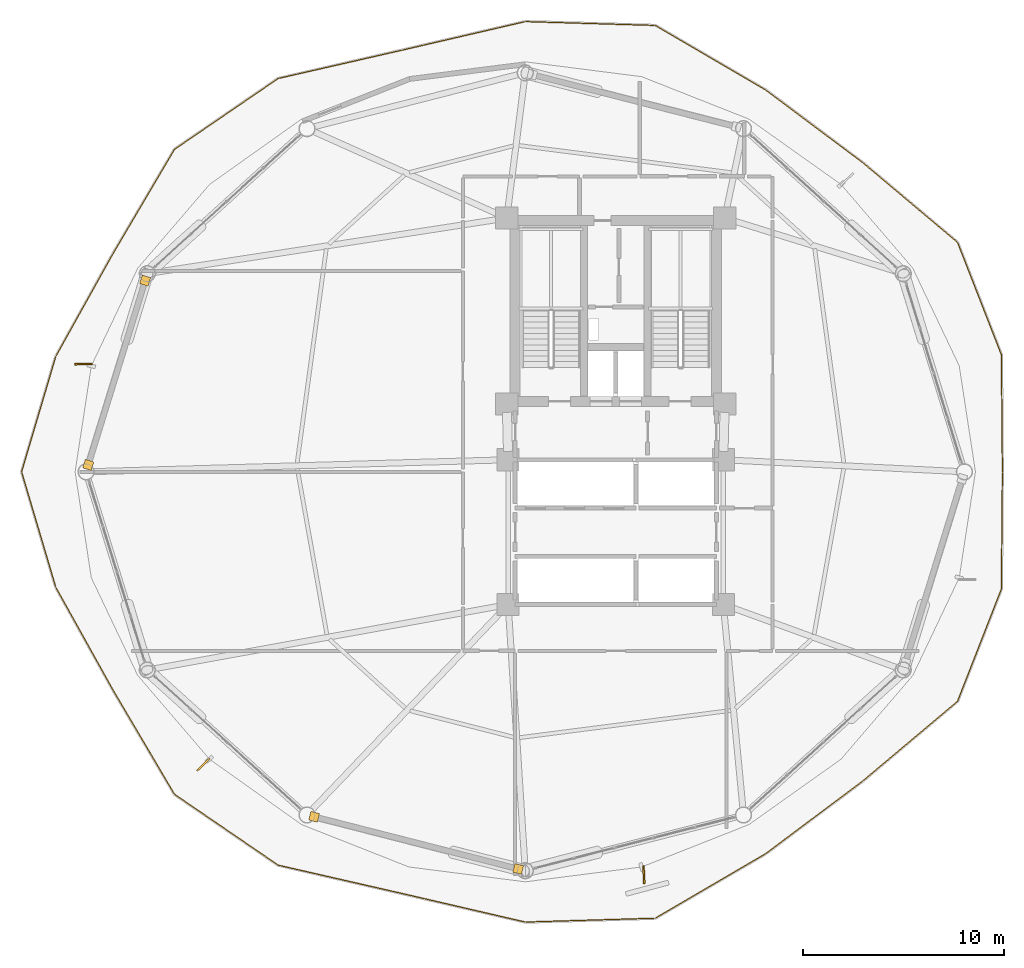
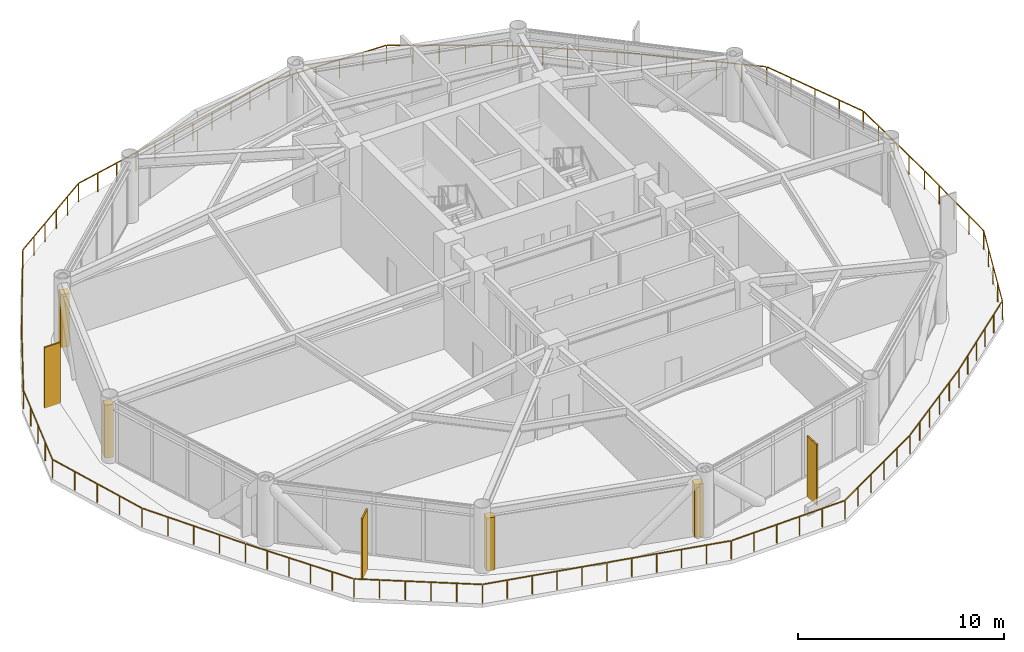
# One storey, part 22 of 23: 4 coverings, 3 shading devices, 1 railing.
"""IFC4 building model written with IfcOpenShell, lengths in metres."""

from ifc_helpers import new_model, si_unit, direction, frame, origin, origin_2d, place, context, subcontext, project, spatial, rectangle, extrude, source, transform, mapped, material, layer, layer_set, type_object, type_shapes, element, save


model = new_model("IFC4")

# Units and contexts
model_context = context("Model", 3, precision=1e-05, world=origin(), true_north=direction((0.0, 1.0)))
body_context = subcontext(model_context, "Body", "Model", "MODEL_VIEW")
ifc_project = project(units=[si_unit("LENGTHUNIT", "METRE"), si_unit("AREAUNIT", "SQUARE_METRE"), si_unit("VOLUMEUNIT", "CUBIC_METRE"), si_unit("PLANEANGLEUNIT", "RADIAN"), si_unit("MASSUNIT", "GRAM", prefix="KILO")], contexts=[model_context])

# Site, building, storey
site_placement = place(None, origin())
site = spatial("IfcSite", under=ifc_project, at=site_placement, CompositionType="ELEMENT")
building_placement = place(site_placement, origin())
building = spatial("IfcBuilding", under=site, at=building_placement, Name="Varnakorn Sky Granary", CompositionType="ELEMENT")
storey_placement = place(building_placement, frame((0.0, 0.0, 83.699951171875)))
storey = spatial("IfcBuildingStorey", under=building, at=storey_placement, Name="L20", CompositionType="ELEMENT", Elevation=83.699951171875)

# Railing
ifc_material = material(Name="Anodised Bronze Aluminium Alloy 6063-T6", Category="aluminium")
railing_type = type_object("IfcRailingType", Name="RL-BAL-1120", PredefinedType="BALUSTRADE", material=ifc_material)
railing_placement = place(storey_placement, frame((22.22998046875, 0.0, 0.0)))
element("IfcRailing", 1, at=railing_placement, inside=storey, type_object=railing_type, Name="Wavy Growing Deck Guard Balustrade L20", PredefinedType="BALUSTRADE", context=body_context, shape_type="SweptSolid", body=[
    extrude(rectangle(XDim=0.048095703125, YDim=0.048095703125, at=origin_2d()), frame((-0.000244140625, 0.028076171875, 1.09619140625), z_axis=(-0.008584992269, 0.999963148275, 0.0), x_axis=(-0.999963148275, -0.008584992269, 0.0)), (0.0, 0.0, 1.0), 5.77392578125),
    extrude(rectangle(XDim=0.048095703125, YDim=0.048095703125, at=origin_2d()), frame((-0.060302734375, 5.855712890625, 1.09619140625), z_axis=(-0.363622613495, 0.931546346112, 0.0), x_axis=(-0.931546346112, -0.363622613495, 0.0)), (0.0, 0.0, 1.0), 5.941650390625),
    extrude(rectangle(XDim=0.048095703125, YDim=0.048095703125, at=origin_2d()), frame((-2.25244140625, 11.434814453125, 1.09619140625), z_axis=(-0.765405589806, 0.643548197957, 0.0), x_axis=(-0.643548197957, -0.765405589806, 0.0)), (0.0, 0.0, 1.0), 6.100830078125),
    extrude(rectangle(XDim=0.048095703125, YDim=0.048095703125, at=origin_2d()), frame((-6.9658203125, 15.395751953125, 1.09619140625), z_axis=(-0.800631314174, 0.599157323885, 0.0), x_axis=(-0.599157323885, -0.800631314174, 0.0)), (0.0, 0.0, 1.0), 5.97265625),
    extrude(rectangle(XDim=0.048095703125, YDim=0.048095703125, at=origin_2d()), frame((-11.794189453125, 19.005126953125, 1.09619140625), z_axis=(-0.86342532332, 0.504476670471, 0.0), x_axis=(-0.504476670471, -0.86342532332, 0.0)), (0.0, 0.0, 1.0), 6.308837890625),
    extrude(rectangle(XDim=0.048095703125, YDim=0.048095703125, at=origin_2d()), frame((-17.293701171875, 22.20263671875, 1.09619140625), z_axis=(-0.999567493399, 0.029407926481, 0.0), x_axis=(-0.029407926481, -0.999567493399, 0.0)), (0.0, 0.0, 1.0), 6.4111328125),
    extrude(rectangle(XDim=0.048095703125, YDim=0.048095703125, at=origin_2d()), frame((-23.75732421875, 22.3857421875, 1.09619140625), z_axis=(-0.974172483706, -0.225805163779, 0.0), x_axis=(0.225805163779, -0.974172483706, 0.0)), (0.0, 0.0, 1.0), 6.240966796875),
    extrude(rectangle(XDim=0.048095703125, YDim=0.048095703125, at=origin_2d()), frame((-29.8916015625, 20.9638671875, 1.09619140625), z_axis=(-0.974833064229, -0.222936082511, 0.0), x_axis=(0.222936082511, -0.974833064229, 0.0)), (0.0, 0.0, 1.0), 6.258544921875),
    extrude(rectangle(XDim=0.048095703125, YDim=0.048095703125, at=origin_2d()), frame((-36.04296875, 19.546630859375, 1.09619140625), z_axis=(-0.825663759617, -0.564162526277, 0.0), x_axis=(0.564162526277, -0.825663759617, 0.0)), (0.0, 0.0, 1.0), 6.18994140625),
    extrude(rectangle(XDim=0.048095703125, YDim=0.048095703125, at=origin_2d()), frame((-41.19091796875, 16.0146484375, 1.09619140625), z_axis=(-0.507906441234, -0.861412239844, 0.0), x_axis=(0.861412239844, -0.507906441234, 0.0)), (0.0, 0.0, 1.0), 5.97314453125),
    extrude(rectangle(XDim=0.048095703125, YDim=0.048095703125, at=origin_2d()), frame((-44.252685546875, 10.82080078125, 1.09619140625), z_axis=(-0.486363130766, -0.873756776816, 0.0), x_axis=(0.873756776816, -0.486363130766, 0.0)), (0.0, 0.0, 1.0), 5.785400390625),
    extrude(rectangle(XDim=0.048095703125, YDim=0.048095703125, at=origin_2d()), frame((-47.088134765625, 5.71435546875, 1.09619140625), z_axis=(-0.283912012969, -0.958850337066, 0.0), x_axis=(0.958850337066, -0.283912012969, 0.0)), (0.0, 0.0, 1.0), 5.931640625),
    extrude(rectangle(XDim=0.048095703125, YDim=0.048095703125, at=origin_2d()), frame((-48.77197265625, -0.02685546875, 1.09619140625), z_axis=(0.283912012969, -0.958850337066, 0.0), x_axis=(0.958850337066, 0.283912012969, 0.0)), (0.0, 0.0, 1.0), 5.931640625),
    extrude(rectangle(XDim=0.048095703125, YDim=0.048095703125, at=origin_2d()), frame((-47.06640625, -5.765625, 1.09619140625), z_axis=(0.486363130766, -0.873756776816, 0.0), x_axis=(0.873756776816, 0.486363130766, 0.0)), (0.0, 0.0, 1.0), 5.785400390625),
    extrude(rectangle(XDim=0.048095703125, YDim=0.048095703125, at=origin_2d()), frame((-44.224853515625, -10.869384765625, 1.09619140625), z_axis=(0.507906441234, -0.861412239844, 0.0), x_axis=(0.861412239844, 0.507906441234, 0.0)), (0.0, 0.0, 1.0), 5.97314453125),
    extrude(rectangle(XDim=0.048095703125, YDim=0.048095703125, at=origin_2d()), frame((-41.153564453125, -16.0546875, 1.09619140625), z_axis=(0.825663759617, -0.564162526277, 0.0), x_axis=(0.564162526277, 0.825663759617, 0.0)), (0.0, 0.0, 1.0), 6.18994140625),
    extrude(rectangle(XDim=0.048095703125, YDim=0.048095703125, at=origin_2d()), frame((-35.992431640625, -19.56884765625, 1.09619140625), z_axis=(0.974833064229, -0.222936082511, 0.0), x_axis=(0.222936082511, 0.974833064229, 0.0)), (0.0, 0.0, 1.0), 6.258544921875),
    extrude(rectangle(XDim=0.048095703125, YDim=0.048095703125, at=origin_2d()), frame((-29.8369140625, -20.9765625, 1.09619140625), z_axis=(0.974172483706, -0.225805163779, 0.0), x_axis=(0.225805163779, 0.974172483706, 0.0)), (0.0, 0.0, 1.0), 6.240966796875),
    extrude(rectangle(XDim=0.048095703125, YDim=0.048095703125, at=origin_2d()), frame((-23.701904296875, -22.391357421875, 1.09619140625), z_axis=(0.999567493399, 0.029407926481, 0.0), x_axis=(-0.029407926481, 0.999567493399, 0.0)), (0.0, 0.0, 1.0), 6.4111328125),
    extrude(rectangle(XDim=0.048095703125, YDim=0.048095703125, at=origin_2d()), frame((-17.241455078125, -22.187744140625, 1.09619140625), z_axis=(0.86342532332, 0.504476670471, 0.0), x_axis=(-0.504476670471, 0.86342532332, 0.0)), (0.0, 0.0, 1.0), 6.308837890625),
    extrude(rectangle(XDim=0.048095703125, YDim=0.048095703125, at=origin_2d()), frame((-11.74755859375, -18.97412109375, 1.09619140625), z_axis=(0.800631314174, 0.599157323885, 0.0), x_axis=(-0.599157323885, 0.800631314174, 0.0)), (0.0, 0.0, 1.0), 5.97265625),
    extrude(rectangle(XDim=0.048095703125, YDim=0.048095703125, at=origin_2d()), frame((-6.921875, -15.36083984375, 1.09619140625), z_axis=(0.765405589806, 0.643548197957, 0.0), x_axis=(-0.643548197957, 0.765405589806, 0.0)), (0.0, 0.0, 1.0), 6.100830078125),
    extrude(rectangle(XDim=0.048095703125, YDim=0.048095703125, at=origin_2d()), frame((-2.220703125, -11.390625, 1.09619140625), z_axis=(0.363622613495, 0.931546346112, 0.0), x_axis=(-0.931546346112, 0.363622613495, 0.0)), (0.0, 0.0, 1.0), 5.941650390625),
    extrude(rectangle(XDim=0.048095703125, YDim=0.048095703125, at=origin_2d()), frame((-0.0498046875, -5.801513671875, 1.09619140625), z_axis=(0.008584992269, 0.999963148275, 0.0), x_axis=(-0.999963148275, 0.008584992269, 0.0)), (0.0, 0.0, 1.0), 5.77392578125),
    extrude(rectangle(XDim=0.0419921875, YDim=0.0419921875, at=origin_2d()), origin(), (0.0, 0.0, 1.0), 1.068115234375),
    extrude(rectangle(XDim=0.0419921875, YDim=0.0419921875, at=origin_2d()), frame((-0.012451171875, 1.45751953125, 0.0)), (0.0, 0.0, 1.0), 1.068115234375),
    extrude(rectangle(XDim=0.0419921875, YDim=0.0419921875, at=origin_2d()), frame((-0.02490234375, 2.914794921875, 0.0)), (0.0, 0.0, 1.0), 1.068115234375),
    extrude(rectangle(XDim=0.0419921875, YDim=0.0419921875, at=origin_2d()), frame((-0.03759765625, 4.3720703125, 0.0)), (0.0, 0.0, 1.0), 1.068115234375),
    extrude(rectangle(XDim=0.0419921875, YDim=0.0419921875, at=origin_2d()), frame((-0.050048828125, 5.82958984375, 0.0)), (0.0, 0.0, 1.0), 1.068115234375),
    extrude(rectangle(XDim=0.0419921875, YDim=0.0419921875, at=origin_2d()), frame((-0.59521484375, 7.226318359375, 0.0)), (0.0, 0.0, 1.0), 1.068115234375),
    extrude(rectangle(XDim=0.0419921875, YDim=0.0419921875, at=origin_2d()), frame((-1.140625, 8.623046875, 0.0)), (0.0, 0.0, 1.0), 1.068115234375),
    extrude(rectangle(XDim=0.0419921875, YDim=0.0419921875, at=origin_2d()), frame((-1.685791015625, 10.02001953125, 0.0)), (0.0, 0.0, 1.0), 1.068115234375),
    extrude(rectangle(XDim=0.0419921875, YDim=0.0419921875, at=origin_2d()), frame((-2.23095703125, 11.416748046875, 0.0)), (0.0, 0.0, 1.0), 1.068115234375),
    extrude(rectangle(XDim=0.0419921875, YDim=0.0419921875, at=origin_2d()), frame((-3.17333984375, 12.209228515625, 0.0)), (0.0, 0.0, 1.0), 1.068115234375),
    extrude(rectangle(XDim=0.0419921875, YDim=0.0419921875, at=origin_2d()), frame((-4.115966796875, 13.001708984375, 0.0)), (0.0, 0.0, 1.0), 1.068115234375),
    extrude(rectangle(XDim=0.0419921875, YDim=0.0419921875, at=origin_2d()), frame((-5.058349609375, 13.7939453125, 0.0)), (0.0, 0.0, 1.0), 1.068115234375),
    extrude(rectangle(XDim=0.0419921875, YDim=0.0419921875, at=origin_2d()), frame((-6.0009765625, 14.58642578125, 0.0)), (0.0, 0.0, 1.0), 1.068115234375),
    extrude(rectangle(XDim=0.0419921875, YDim=0.0419921875, at=origin_2d()), frame((-6.943359375, 15.37890625, 0.0)), (0.0, 0.0, 1.0), 1.068115234375),
    extrude(rectangle(XDim=0.0419921875, YDim=0.0419921875, at=origin_2d()), frame((-7.90869140625, 16.101318359375, 0.0)), (0.0, 0.0, 1.0), 1.068115234375),
    extrude(rectangle(XDim=0.0419921875, YDim=0.0419921875, at=origin_2d()), frame((-8.8740234375, 16.82373046875, 0.0)), (0.0, 0.0, 1.0), 1.068115234375),
    extrude(rectangle(XDim=0.0419921875, YDim=0.0419921875, at=origin_2d()), frame((-9.83935546875, 17.546142578125, 0.0)), (0.0, 0.0, 1.0), 1.068115234375),
    extrude(rectangle(XDim=0.0419921875, YDim=0.0419921875, at=origin_2d()), frame((-10.8046875, 18.2685546875, 0.0)), (0.0, 0.0, 1.0), 1.068115234375),
    extrude(rectangle(XDim=0.0419921875, YDim=0.0419921875, at=origin_2d()), frame((-11.77001953125, 18.990966796875, 0.0)), (0.0, 0.0, 1.0), 1.068115234375),
    extrude(rectangle(XDim=0.0419921875, YDim=0.0419921875, at=origin_2d()), frame((-12.869140625, 19.633056640625, 0.0)), (0.0, 0.0, 1.0), 1.068115234375),
    extrude(rectangle(XDim=0.0419921875, YDim=0.0419921875, at=origin_2d()), frame((-13.96826171875, 20.275390625, 0.0)), (0.0, 0.0, 1.0), 1.068115234375),
    extrude(rectangle(XDim=0.0419921875, YDim=0.0419921875, at=origin_2d()), frame((-15.0673828125, 20.91748046875, 0.0)), (0.0, 0.0, 1.0), 1.068115234375),
    extrude(rectangle(XDim=0.0419921875, YDim=0.0419921875, at=origin_2d()), frame((-16.16650390625, 21.559814453125, 0.0)), (0.0, 0.0, 1.0), 1.068115234375),
    extrude(rectangle(XDim=0.0419921875, YDim=0.0419921875, at=origin_2d()), frame((-17.265625, 22.201904296875, 0.0)), (0.0, 0.0, 1.0), 1.068115234375),
    extrude(rectangle(XDim=0.0419921875, YDim=0.0419921875, at=origin_2d()), frame((-18.55859375, 22.239990234375, 0.0)), (0.0, 0.0, 1.0), 1.068115234375),
    extrude(rectangle(XDim=0.0419921875, YDim=0.0419921875, at=origin_2d()), frame((-19.851318359375, 22.278076171875, 0.0)), (0.0, 0.0, 1.0), 1.068115234375),
    extrude(rectangle(XDim=0.0419921875, YDim=0.0419921875, at=origin_2d()), frame((-21.144287109375, 22.31591796875, 0.0)), (0.0, 0.0, 1.0), 1.068115234375),
    extrude(rectangle(XDim=0.0419921875, YDim=0.0419921875, at=origin_2d()), frame((-22.43701171875, 22.35400390625, 0.0)), (0.0, 0.0, 1.0), 1.068115234375),
    extrude(rectangle(XDim=0.0419921875, YDim=0.0419921875, at=origin_2d()), frame((-23.72998046875, 22.39208984375, 0.0)), (0.0, 0.0, 1.0), 1.068115234375),
    extrude(rectangle(XDim=0.0419921875, YDim=0.0419921875, at=origin_2d()), frame((-24.956787109375, 22.107666015625, 0.0)), (0.0, 0.0, 1.0), 1.068115234375),
    extrude(rectangle(XDim=0.0419921875, YDim=0.0419921875, at=origin_2d()), frame((-26.18359375, 21.8232421875, 0.0)), (0.0, 0.0, 1.0), 1.068115234375),
    extrude(rectangle(XDim=0.0419921875, YDim=0.0419921875, at=origin_2d()), frame((-27.41064453125, 21.5390625, 0.0)), (0.0, 0.0, 1.0), 1.068115234375),
    extrude(rectangle(XDim=0.0419921875, YDim=0.0419921875, at=origin_2d()), frame((-28.637451171875, 21.254638671875, 0.0)), (0.0, 0.0, 1.0), 1.068115234375),
    extrude(rectangle(XDim=0.0419921875, YDim=0.0419921875, at=origin_2d()), frame((-29.8642578125, 20.97021484375, 0.0)), (0.0, 0.0, 1.0), 1.068115234375),
    extrude(rectangle(XDim=0.0419921875, YDim=0.0419921875, at=origin_2d()), frame((-31.095458984375, 20.688720703125, 0.0)), (0.0, 0.0, 1.0), 1.068115234375),
    extrude(rectangle(XDim=0.0419921875, YDim=0.0419921875, at=origin_2d()), frame((-32.326416015625, 20.4072265625, 0.0)), (0.0, 0.0, 1.0), 1.068115234375),
    extrude(rectangle(XDim=0.0419921875, YDim=0.0419921875, at=origin_2d()), frame((-33.5576171875, 20.12548828125, 0.0)), (0.0, 0.0, 1.0), 1.068115234375),
    extrude(rectangle(XDim=0.0419921875, YDim=0.0419921875, at=origin_2d()), frame((-34.78857421875, 19.843994140625, 0.0)), (0.0, 0.0, 1.0), 1.068115234375),
    extrude(rectangle(XDim=0.0419921875, YDim=0.0419921875, at=origin_2d()), frame((-36.019775390625, 19.5625, 0.0)), (0.0, 0.0, 1.0), 1.068115234375),
    extrude(rectangle(XDim=0.0419921875, YDim=0.0419921875, at=origin_2d()), frame((-37.05126953125, 18.857666015625, 0.0)), (0.0, 0.0, 1.0), 1.068115234375),
    extrude(rectangle(XDim=0.0419921875, YDim=0.0419921875, at=origin_2d()), frame((-38.08251953125, 18.153076171875, 0.0)), (0.0, 0.0, 1.0), 1.068115234375),
    extrude(rectangle(XDim=0.0419921875, YDim=0.0419921875, at=origin_2d()), frame((-39.114013671875, 17.4482421875, 0.0)), (0.0, 0.0, 1.0), 1.068115234375),
    extrude(rectangle(XDim=0.0419921875, YDim=0.0419921875, at=origin_2d()), frame((-40.145263671875, 16.74365234375, 0.0)), (0.0, 0.0, 1.0), 1.068115234375),
    extrude(rectangle(XDim=0.0419921875, YDim=0.0419921875, at=origin_2d()), frame((-41.1767578125, 16.038818359375, 0.0)), (0.0, 0.0, 1.0), 1.068115234375),
    extrude(rectangle(XDim=0.0419921875, YDim=0.0419921875, at=origin_2d()), frame((-41.789306640625, 15.0, 0.0)), (0.0, 0.0, 1.0), 1.068115234375),
    extrude(rectangle(XDim=0.0419921875, YDim=0.0419921875, at=origin_2d()), frame((-42.401611328125, 13.96142578125, 0.0)), (0.0, 0.0, 1.0), 1.068115234375),
    extrude(rectangle(XDim=0.0419921875, YDim=0.0419921875, at=origin_2d()), frame((-43.01416015625, 12.922607421875, 0.0)), (0.0, 0.0, 1.0), 1.068115234375),
    extrude(rectangle(XDim=0.0419921875, YDim=0.0419921875, at=origin_2d()), frame((-43.62646484375, 11.884033203125, 0.0)), (0.0, 0.0, 1.0), 1.068115234375),
    extrude(rectangle(XDim=0.0419921875, YDim=0.0419921875, at=origin_2d()), frame((-44.239013671875, 10.84521484375, 0.0)), (0.0, 0.0, 1.0), 1.068115234375),
    extrude(rectangle(XDim=0.0419921875, YDim=0.0419921875, at=origin_2d()), frame((-44.94921875, 9.5693359375, 0.0)), (0.0, 0.0, 1.0), 1.068115234375),
    extrude(rectangle(XDim=0.0419921875, YDim=0.0419921875, at=origin_2d()), frame((-45.65966796875, 8.293212890625, 0.0)), (0.0, 0.0, 1.0), 1.068115234375),
    extrude(rectangle(XDim=0.0419921875, YDim=0.0419921875, at=origin_2d()), frame((-46.369873046875, 7.01708984375, 0.0)), (0.0, 0.0, 1.0), 1.068115234375),
    extrude(rectangle(XDim=0.0419921875, YDim=0.0419921875, at=origin_2d()), frame((-47.080078125, 5.7412109375, 0.0)), (0.0, 0.0, 1.0), 1.068115234375),
    extrude(rectangle(XDim=0.0419921875, YDim=0.0419921875, at=origin_2d()), frame((-47.505126953125, 4.305908203125, 0.0)), (0.0, 0.0, 1.0), 1.068115234375),
    extrude(rectangle(XDim=0.0419921875, YDim=0.0419921875, at=origin_2d()), frame((-47.93017578125, 2.87060546875, 0.0)), (0.0, 0.0, 1.0), 1.068115234375),
    extrude(rectangle(XDim=0.0419921875, YDim=0.0419921875, at=origin_2d()), frame((-48.35498046875, 1.435302734375, 0.0)), (0.0, 0.0, 1.0), 1.068115234375),
    extrude(rectangle(XDim=0.0419921875, YDim=0.0419921875, at=origin_2d()), frame((-48.780029296875, 0.0, 0.0)), (0.0, 0.0, 1.0), 1.068115234375),
    extrude(rectangle(XDim=0.0419921875, YDim=0.0419921875, at=origin_2d()), frame((-48.35498046875, -1.435302734375, 0.0)), (0.0, 0.0, 1.0), 1.068115234375),
    extrude(rectangle(XDim=0.0419921875, YDim=0.0419921875, at=origin_2d()), frame((-47.93017578125, -2.87060546875, 0.0)), (0.0, 0.0, 1.0), 1.068115234375),
    extrude(rectangle(XDim=0.0419921875, YDim=0.0419921875, at=origin_2d()), frame((-47.505126953125, -4.305908203125, 0.0)), (0.0, 0.0, 1.0), 1.068115234375),
    extrude(rectangle(XDim=0.0419921875, YDim=0.0419921875, at=origin_2d()), frame((-47.080078125, -5.7412109375, 0.0)), (0.0, 0.0, 1.0), 1.068115234375),
    extrude(rectangle(XDim=0.0419921875, YDim=0.0419921875, at=origin_2d()), frame((-46.369873046875, -7.01708984375, 0.0)), (0.0, 0.0, 1.0), 1.068115234375),
    extrude(rectangle(XDim=0.0419921875, YDim=0.0419921875, at=origin_2d()), frame((-45.65966796875, -8.293212890625, 0.0)), (0.0, 0.0, 1.0), 1.068115234375),
    extrude(rectangle(XDim=0.0419921875, YDim=0.0419921875, at=origin_2d()), frame((-44.94921875, -9.5693359375, 0.0)), (0.0, 0.0, 1.0), 1.068115234375),
    extrude(rectangle(XDim=0.0419921875, YDim=0.0419921875, at=origin_2d()), frame((-44.239013671875, -10.84521484375, 0.0)), (0.0, 0.0, 1.0), 1.068115234375),
    extrude(rectangle(XDim=0.0419921875, YDim=0.0419921875, at=origin_2d()), frame((-43.62646484375, -11.884033203125, 0.0)), (0.0, 0.0, 1.0), 1.068115234375),
    extrude(rectangle(XDim=0.0419921875, YDim=0.0419921875, at=origin_2d()), frame((-43.01416015625, -12.922607421875, 0.0)), (0.0, 0.0, 1.0), 1.068115234375),
    extrude(rectangle(XDim=0.0419921875, YDim=0.0419921875, at=origin_2d()), frame((-42.401611328125, -13.96142578125, 0.0)), (0.0, 0.0, 1.0), 1.068115234375),
    extrude(rectangle(XDim=0.0419921875, YDim=0.0419921875, at=origin_2d()), frame((-41.789306640625, -15.0, 0.0)), (0.0, 0.0, 1.0), 1.068115234375),
    extrude(rectangle(XDim=0.0419921875, YDim=0.0419921875, at=origin_2d()), frame((-41.1767578125, -16.038818359375, 0.0)), (0.0, 0.0, 1.0), 1.068115234375),
    extrude(rectangle(XDim=0.0419921875, YDim=0.0419921875, at=origin_2d()), frame((-40.145263671875, -16.74365234375, 0.0)), (0.0, 0.0, 1.0), 1.068115234375),
    extrude(rectangle(XDim=0.0419921875, YDim=0.0419921875, at=origin_2d()), frame((-39.114013671875, -17.4482421875, 0.0)), (0.0, 0.0, 1.0), 1.068115234375),
    extrude(rectangle(XDim=0.0419921875, YDim=0.0419921875, at=origin_2d()), frame((-38.08251953125, -18.153076171875, 0.0)), (0.0, 0.0, 1.0), 1.068115234375),
    extrude(rectangle(XDim=0.0419921875, YDim=0.0419921875, at=origin_2d()), frame((-37.05126953125, -18.857666015625, 0.0)), (0.0, 0.0, 1.0), 1.068115234375),
    extrude(rectangle(XDim=0.0419921875, YDim=0.0419921875, at=origin_2d()), frame((-36.019775390625, -19.5625, 0.0)), (0.0, 0.0, 1.0), 1.068115234375),
    extrude(rectangle(XDim=0.0419921875, YDim=0.0419921875, at=origin_2d()), frame((-34.78857421875, -19.843994140625, 0.0)), (0.0, 0.0, 1.0), 1.068115234375),
    extrude(rectangle(XDim=0.0419921875, YDim=0.0419921875, at=origin_2d()), frame((-33.5576171875, -20.12548828125, 0.0)), (0.0, 0.0, 1.0), 1.068115234375),
    extrude(rectangle(XDim=0.0419921875, YDim=0.0419921875, at=origin_2d()), frame((-32.326416015625, -20.4072265625, 0.0)), (0.0, 0.0, 1.0), 1.068115234375),
    extrude(rectangle(XDim=0.0419921875, YDim=0.0419921875, at=origin_2d()), frame((-31.095458984375, -20.688720703125, 0.0)), (0.0, 0.0, 1.0), 1.068115234375),
    extrude(rectangle(XDim=0.0419921875, YDim=0.0419921875, at=origin_2d()), frame((-29.8642578125, -20.97021484375, 0.0)), (0.0, 0.0, 1.0), 1.068115234375),
    extrude(rectangle(XDim=0.0419921875, YDim=0.0419921875, at=origin_2d()), frame((-28.637451171875, -21.254638671875, 0.0)), (0.0, 0.0, 1.0), 1.068115234375),
    extrude(rectangle(XDim=0.0419921875, YDim=0.0419921875, at=origin_2d()), frame((-27.41064453125, -21.5390625, 0.0)), (0.0, 0.0, 1.0), 1.068115234375),
    extrude(rectangle(XDim=0.0419921875, YDim=0.0419921875, at=origin_2d()), frame((-26.18359375, -21.8232421875, 0.0)), (0.0, 0.0, 1.0), 1.068115234375),
    extrude(rectangle(XDim=0.0419921875, YDim=0.0419921875, at=origin_2d()), frame((-24.956787109375, -22.107666015625, 0.0)), (0.0, 0.0, 1.0), 1.068115234375),
    extrude(rectangle(XDim=0.0419921875, YDim=0.0419921875, at=origin_2d()), frame((-23.72998046875, -22.39208984375, 0.0)), (0.0, 0.0, 1.0), 1.068115234375),
    extrude(rectangle(XDim=0.0419921875, YDim=0.0419921875, at=origin_2d()), frame((-22.43701171875, -22.35400390625, 0.0)), (0.0, 0.0, 1.0), 1.068115234375),
    extrude(rectangle(XDim=0.0419921875, YDim=0.0419921875, at=origin_2d()), frame((-21.144287109375, -22.31591796875, 0.0)), (0.0, 0.0, 1.0), 1.068115234375),
    extrude(rectangle(XDim=0.0419921875, YDim=0.0419921875, at=origin_2d()), frame((-19.851318359375, -22.278076171875, 0.0)), (0.0, 0.0, 1.0), 1.068115234375),
    extrude(rectangle(XDim=0.0419921875, YDim=0.0419921875, at=origin_2d()), frame((-18.55859375, -22.239990234375, 0.0)), (0.0, 0.0, 1.0), 1.068115234375),
    extrude(rectangle(XDim=0.0419921875, YDim=0.0419921875, at=origin_2d()), frame((-17.265625, -22.201904296875, 0.0)), (0.0, 0.0, 1.0), 1.068115234375),
    extrude(rectangle(XDim=0.0419921875, YDim=0.0419921875, at=origin_2d()), frame((-16.16650390625, -21.559814453125, 0.0)), (0.0, 0.0, 1.0), 1.068115234375),
    extrude(rectangle(XDim=0.0419921875, YDim=0.0419921875, at=origin_2d()), frame((-15.0673828125, -20.91748046875, 0.0)), (0.0, 0.0, 1.0), 1.068115234375),
    extrude(rectangle(XDim=0.0419921875, YDim=0.0419921875, at=origin_2d()), frame((-13.96826171875, -20.275390625, 0.0)), (0.0, 0.0, 1.0), 1.068115234375),
    extrude(rectangle(XDim=0.0419921875, YDim=0.0419921875, at=origin_2d()), frame((-12.869140625, -19.633056640625, 0.0)), (0.0, 0.0, 1.0), 1.068115234375),
    extrude(rectangle(XDim=0.0419921875, YDim=0.0419921875, at=origin_2d()), frame((-11.77001953125, -18.990966796875, 0.0)), (0.0, 0.0, 1.0), 1.068115234375),
    extrude(rectangle(XDim=0.0419921875, YDim=0.0419921875, at=origin_2d()), frame((-10.8046875, -18.2685546875, 0.0)), (0.0, 0.0, 1.0), 1.068115234375),
    extrude(rectangle(XDim=0.0419921875, YDim=0.0419921875, at=origin_2d()), frame((-9.83935546875, -17.546142578125, 0.0)), (0.0, 0.0, 1.0), 1.068115234375),
    extrude(rectangle(XDim=0.0419921875, YDim=0.0419921875, at=origin_2d()), frame((-8.8740234375, -16.82373046875, 0.0)), (0.0, 0.0, 1.0), 1.068115234375),
    extrude(rectangle(XDim=0.0419921875, YDim=0.0419921875, at=origin_2d()), frame((-7.90869140625, -16.101318359375, 0.0)), (0.0, 0.0, 1.0), 1.068115234375),
    extrude(rectangle(XDim=0.0419921875, YDim=0.0419921875, at=origin_2d()), frame((-6.943359375, -15.37890625, 0.0)), (0.0, 0.0, 1.0), 1.068115234375),
    extrude(rectangle(XDim=0.0419921875, YDim=0.0419921875, at=origin_2d()), frame((-6.0009765625, -14.58642578125, 0.0)), (0.0, 0.0, 1.0), 1.068115234375),
    extrude(rectangle(XDim=0.0419921875, YDim=0.0419921875, at=origin_2d()), frame((-5.058349609375, -13.7939453125, 0.0)), (0.0, 0.0, 1.0), 1.068115234375),
    extrude(rectangle(XDim=0.0419921875, YDim=0.0419921875, at=origin_2d()), frame((-4.115966796875, -13.001708984375, 0.0)), (0.0, 0.0, 1.0), 1.068115234375),
    extrude(rectangle(XDim=0.0419921875, YDim=0.0419921875, at=origin_2d()), frame((-3.17333984375, -12.209228515625, 0.0)), (0.0, 0.0, 1.0), 1.068115234375),
    extrude(rectangle(XDim=0.0419921875, YDim=0.0419921875, at=origin_2d()), frame((-2.23095703125, -11.416748046875, 0.0)), (0.0, 0.0, 1.0), 1.068115234375),
    extrude(rectangle(XDim=0.0419921875, YDim=0.0419921875, at=origin_2d()), frame((-1.685791015625, -10.02001953125, 0.0)), (0.0, 0.0, 1.0), 1.068115234375),
    extrude(rectangle(XDim=0.0419921875, YDim=0.0419921875, at=origin_2d()), frame((-1.140625, -8.623046875, 0.0)), (0.0, 0.0, 1.0), 1.068115234375),
    extrude(rectangle(XDim=0.0419921875, YDim=0.0419921875, at=origin_2d()), frame((-0.59521484375, -7.226318359375, 0.0)), (0.0, 0.0, 1.0), 1.068115234375),
    extrude(rectangle(XDim=0.0419921875, YDim=0.0419921875, at=origin_2d()), frame((-0.050048828125, -5.82958984375, 0.0)), (0.0, 0.0, 1.0), 1.068115234375),
    extrude(rectangle(XDim=0.0419921875, YDim=0.0419921875, at=origin_2d()), frame((-0.03759765625, -4.3720703125, 0.0)), (0.0, 0.0, 1.0), 1.068115234375),
    extrude(rectangle(XDim=0.0419921875, YDim=0.0419921875, at=origin_2d()), frame((-0.02490234375, -2.914794921875, 0.0)), (0.0, 0.0, 1.0), 1.068115234375),
    extrude(rectangle(XDim=0.0419921875, YDim=0.0419921875, at=origin_2d()), frame((-0.012451171875, -1.45751953125, 0.0)), (0.0, 0.0, 1.0), 1.068115234375),
])

# Shading devices
shading_device_type = type_object("IfcShadingDeviceType", Name="SH-FIN-01", PredefinedType="USERDEFINED", material=ifc_material)
shared_shape_1 = source(origin(), body_context, "Body", "SweptSolid", [
    extrude(rectangle(XDim=0.0849609375, YDim=0.8798828125, at=origin_2d()), origin(), (0.0, 0.0, 1.0), 3.60009765625),
])
type_shapes(shading_device_type, [shared_shape_1])
for number, where, z_axis, x_axis, name in (
    (2, (-23.472900390625, 5.3583984375, -0.0400390625), (0.0, 0.0, 1.0), (0.0087129743, -0.999962041319, 0.0), "Bronze Solar-Tracking Vertical Blade FIN L20-06"),
    (3, (-17.504638671875, -14.55712890625, -0.0400390625), (0.0, 0.0, 1.0), (0.692149092843, -0.721754551961, 0.0), "Bronze Solar-Tracking Vertical Blade FIN L20-08"),
    (4, (4.399169921875, -20.03662109375, -0.0400390625), (0.0, 0.0, 1.0), (0.998667621876, 0.051604079449, 0.0), "Bronze Solar-Tracking Vertical Blade FIN L20-10"),
):
    element("IfcShadingDevice", number, at=place(storey_placement, frame(where, z_axis=z_axis, x_axis=x_axis)), inside=storey, type_object=shading_device_type, Name=name, ObjectType="FIN", PredefinedType="USERDEFINED", context=body_context, shape_type="MappedRepresentation", body=[
        mapped(shared_shape_1, transform((0.0, 0.0, 0.0), x_axis=(1.0, 0.0, 0.0), y_axis=(0.0, 1.0, 0.0), z_axis=(0.0, 0.0, 1.0), scale=1.0)),
    ])

# Coverings
ifc_layer = layer(ifc_material, 0.050048828125, Name="Anodised Bronze Aluminium Alloy 6063-T6")
ifc_layer_set = layer_set([ifc_layer], Name="Anodised Bronze Aluminium Alloy 6063-T6")
covering_type = type_object("IfcCoveringType", Name="CV-CLAD-50", PredefinedType="CLADDING", material=ifc_layer_set)
shared_shape_2 = source(origin(), body_context, "Body", "SweptSolid", [
    extrude(rectangle(XDim=0.43994140625, YDim=0.43994140625, at=origin_2d()), origin(), (0.0, 0.0, 1.0), 3.1298828125),
])
type_shapes(covering_type, [shared_shape_2])
for number, where, z_axis, x_axis, name in (
    (5, (-23.2333984375, 0.345458984375, -0.019775390625), (0.0, 0.0, 1.0), (0.295041067928, 0.955484572474, 0.0), "Bronze Corner Pilaster Closure L20-P06-A"),
    (6, (-20.40380859375, 9.508056640625, -0.019775390625), (0.0, 0.0, 1.0), (0.295041067928, 0.955484572474, 0.0), "Bronze Corner Pilaster Closure L20-P06-B"),
    (7, (-1.85009765625, -19.75244140625, -0.019775390625), (0.0, 0.0, 1.0), (-0.968843057437, 0.247675453076, 0.0), "Bronze Corner Pilaster Closure L20-P09-A"),
    (8, (-12.002197265625, -17.156494140625, -0.019775390625), (0.0, 0.0, 1.0), (-0.968843057437, 0.247675453076, 0.0), "Bronze Corner Pilaster Closure L20-P09-B"),
):
    element("IfcCovering", number, at=place(storey_placement, frame(where, z_axis=z_axis, x_axis=x_axis)), inside=storey, type_object=covering_type, Name=name, PredefinedType="CLADDING", context=body_context, shape_type="MappedRepresentation", body=[
        mapped(shared_shape_2, transform((0.0, 0.0, 0.0), x_axis=(1.0, 0.0, 0.0), y_axis=(0.0, 1.0, 0.0), z_axis=(0.0, 0.0, 1.0), scale=1.0)),
    ])

save(model, "model.ifc")
